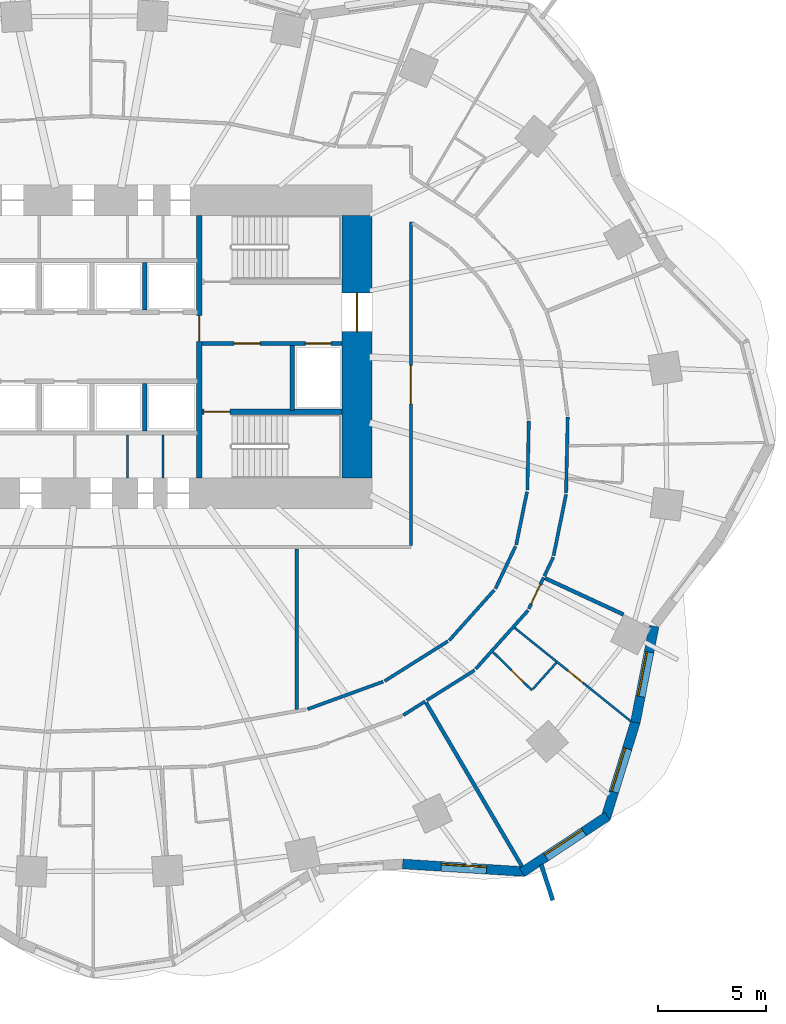
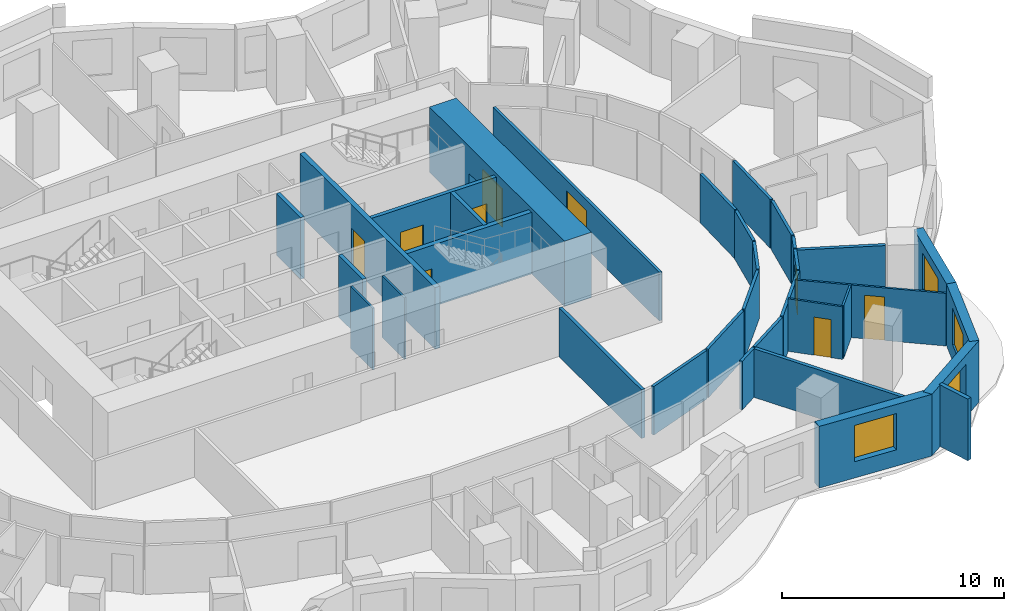
# One storey, part 6 of 11: 34 walls, 9 doors, 4 windows, 13 openings.
"""IFC4 building model written with IfcOpenShell, lengths in metres."""

from ifc_helpers import new_model, si_unit, direction, frame, frame_2d, origin, place, context, subcontext, project, spatial, rectangle, extrude, material, layer, layer_set, type_object, element, fill, save


model = new_model("IFC4")

# Units and contexts
model_context = context("Model", 3, precision=1e-05, world=origin(), true_north=direction((0.0, 1.0)))
body_context = subcontext(model_context, "Body", "Model", "MODEL_VIEW")
ifc_project = project(units=[si_unit("LENGTHUNIT", "METRE"), si_unit("AREAUNIT", "SQUARE_METRE"), si_unit("VOLUMEUNIT", "CUBIC_METRE"), si_unit("PLANEANGLEUNIT", "RADIAN"), si_unit("MASSUNIT", "GRAM", prefix="KILO")], contexts=[model_context])

# Site, building, storey
site_placement = place(None, origin())
site = spatial("IfcSite", under=ifc_project, at=site_placement, CompositionType="ELEMENT")
building_placement = place(site_placement, origin())
building = spatial("IfcBuilding", under=site, at=building_placement, Name="Rubra Terraces Tower", CompositionType="ELEMENT")
storey_placement = place(building_placement, frame((0.0, 0.0, 59.10009765625)))
storey = spatial("IfcBuildingStorey", under=building, at=storey_placement, Name="L12", CompositionType="ELEMENT", Elevation=59.10009765625)

# Walls
ifc_material_1 = material(Name="Twin plasterboard on staggered steel stud, acoustic mineral wool", Category="steel")
ifc_layer_1 = layer(ifc_material_1, 0.175048828125)
ifc_layer_set_1 = layer_set([ifc_layer_1], Name="Twin plasterboard on staggered steel stud, acoustic mineral wool")
wall_type_1 = type_object("IfcWallType", Name="ACOUSTIC PARTY WALL 175", PredefinedType="PARTITIONING", material=ifc_layer_set_1)
wall_1_placement = place(storey_placement, frame((19.95849609375, -19.620361328125, 0.0), z_axis=(0.0, 0.0, 1.0), x_axis=(-0.505643381875, 0.862742586387, 0.0)))
element("IfcWall", 1, at=wall_1_placement, inside=storey, type_object=wall_type_1, Name="PARTITION", PredefinedType="PARTITIONING", context=body_context, shape_type="SweptSolid", body=[
    extrude(rectangle(XDim=8.807861328125, YDim=0.175048828125, at=frame_2d((4.40380859375, 0.0))), origin(), (0.0, 0.0, 1.0), 2.679931640625),
])
wall_2_placement = place(storey_placement, frame((24.669189453125, -7.9287109375, 0.0), z_axis=(0.0, 0.0, 1.0), x_axis=(-0.907461750658, 0.420134705888, 0.0)))
element("IfcWall", 2, at=wall_2_placement, inside=storey, type_object=wall_type_1, Name="PARTITION", PredefinedType="PARTITIONING", context=body_context, shape_type="SweptSolid", body=[
    extrude(rectangle(XDim=4.01123046875, YDim=0.175048828125, at=frame_2d((2.005615234375, 0.0))), origin(), (0.0, 0.0, 1.0), 2.679931640625),
])
wall_3_placement = place(storey_placement, frame((9.5, -12.335205078125, 0.0), z_axis=(0.0, 0.0, 1.0), x_axis=(0.0, 1.0, 0.0)))
element("IfcWall", 3, at=wall_3_placement, inside=storey, type_object=wall_type_1, Name="PARTITION", PredefinedType="PARTITIONING", context=body_context, shape_type="SweptSolid", body=[
    extrude(rectangle(XDim=7.460205078125, YDim=0.175048828125, at=frame_2d((3.72998046875, 0.0))), origin(), (0.0, 0.0, 1.0), 2.679931640625),
])

# Wall, opening, window
ifc_material_2 = material(Name="Brick masonry red-brown", Category="masonry")
ifc_layer_2 = layer(ifc_material_2, 0.449951171875)
ifc_layer_set_2 = layer_set([ifc_layer_2], Name="Brick masonry red-brown")
wall_type_2 = type_object("IfcWallType", Name="Brick facade wall 450", PredefinedType="SOLIDWALL", material=ifc_layer_set_2)
wall_4_placement = place(storey_placement, frame((14.421142578125, -19.506103515625, 0.0), z_axis=(0.0, 0.0, 1.0), x_axis=(0.998078573447, -0.06196096534, 0.0)))
wall_4 = element("IfcWall", 4, at=wall_4_placement, inside=storey, type_object=wall_type_2, Name="Facade wall L12 bay 35", PredefinedType="SOLIDWALL", context=body_context, shape_type="SweptSolid", body=[
    extrude(rectangle(XDim=5.681884765625, YDim=0.449951171875, at=frame_2d((2.8408203125, 0.0))), origin(), (0.0, 0.0, 1.0), 3.39990234375),
])
opening_1_placement = place(wall_4_placement, frame((1.791015625, 0.0, 0.89990234375)))
opening_1 = element("IfcOpeningElement", 5, at=opening_1_placement, cuts=wall_4, Name="Opening W1", PredefinedType="OPENING", context=body_context, shape_type="SweptSolid", body=[
    extrude(rectangle(XDim=2.10009765625, YDim=2.0, at=frame_2d((1.050048828125, 1.0))), frame((0.0, 0.23486328125, 0.0), z_axis=(0.0, -1.0, 0.0), x_axis=(1.0, 0.0, 0.0)), (0.0, 0.0, 1.0), 0.469970703125),
])
ifc_material_3 = material(Name="Clear glass in aluminium frame", Category="aluminium")
window_type = type_object("IfcWindowType", Name="Fixed deep-set window 2100 x 2000", PartitioningType="SINGLE_PANEL", PredefinedType="WINDOW", material=ifc_material_3)
window_1_placement = place(opening_1_placement, origin())
window_1 = element("IfcWindow", 6, at=window_1_placement, inside=storey, type_object=window_type, Name="Window L12 bay 35", OverallHeight=2.0, OverallWidth=2.10009765625, PartitioningType="SINGLE_PANEL", PredefinedType="WINDOW", context=body_context, shape_type="SweptSolid", body=[
    extrude(rectangle(XDim=2.10009765625, YDim=2.0, at=frame_2d((1.050048828125, 1.0))), frame((0.0, 0.135009765625, 0.0), z_axis=(0.0, -1.0, 0.0), x_axis=(1.0, 0.0, 0.0)), (0.0, 0.0, 1.0), 0.06005859375),
])
fill(opening_1, window_1)

wall_5_placement = place(storey_placement, frame((19.959228515625, -19.89501953125, 0.0), z_axis=(0.0, 0.0, 1.0), x_axis=(0.835201398752, 0.549944200372, 0.0)))
wall_5 = element("IfcWall", 7, at=wall_5_placement, inside=storey, type_object=wall_type_2, Name="Facade wall L12 bay 36", PredefinedType="SOLIDWALL", context=body_context, shape_type="SweptSolid", body=[
    extrude(rectangle(XDim=4.74755859375, YDim=0.449951171875, at=frame_2d((2.373779296875, 0.0))), origin(), (0.0, 0.0, 1.0), 3.39990234375),
])
opening_2_placement = place(wall_5_placement, frame((1.32373046875, 0.0, 0.89990234375)))
opening_2 = element("IfcOpeningElement", 8, at=opening_2_placement, cuts=wall_5, Name="Opening W1", PredefinedType="OPENING", context=body_context, shape_type="SweptSolid", body=[
    extrude(rectangle(XDim=2.10009765625, YDim=2.0, at=frame_2d((1.050048828125, 1.0))), frame((0.0, 0.23486328125, 0.0), z_axis=(0.0, -1.0, 0.0), x_axis=(1.0, 0.0, 0.0)), (0.0, 0.0, 1.0), 0.469970703125),
])
window_2_placement = place(opening_2_placement, origin())
window_2 = element("IfcWindow", 9, at=window_2_placement, inside=storey, type_object=window_type, Name="Window L12 bay 36", OverallHeight=2.0, OverallWidth=2.10009765625, PartitioningType="SINGLE_PANEL", PredefinedType="WINDOW", context=body_context, shape_type="SweptSolid", body=[
    extrude(rectangle(XDim=2.10009765625, YDim=2.0, at=frame_2d((1.050048828125, 1.0))), frame((0.0, 0.135009765625, 0.0), z_axis=(0.0, -1.0, 0.0), x_axis=(1.0, 0.0, 0.0)), (0.0, 0.0, 1.0), 0.06005859375),
])
fill(opening_2, window_2)

wall_6_placement = place(storey_placement, frame((23.834228515625, -17.40185546875, 0.0), z_axis=(0.0, 0.0, 1.0), x_axis=(0.2954658114, 0.955353313855, 0.0)))
wall_6 = element("IfcWall", 10, at=wall_6_placement, inside=storey, type_object=wall_type_2, Name="Facade wall L12 bay 37", PredefinedType="SOLIDWALL", context=body_context, shape_type="SweptSolid", body=[
    extrude(rectangle(XDim=4.6982421875, YDim=0.449951171875, at=frame_2d((2.34912109375, 0.0))), origin(), (0.0, 0.0, 1.0), 3.39990234375),
])
opening_3_placement = place(wall_6_placement, frame((1.29931640625, 0.0, 0.89990234375)))
opening_3 = element("IfcOpeningElement", 11, at=opening_3_placement, cuts=wall_6, Name="Opening W1", PredefinedType="OPENING", context=body_context, shape_type="SweptSolid", body=[
    extrude(rectangle(XDim=2.10009765625, YDim=2.0, at=frame_2d((1.050048828125, 1.0))), frame((0.0, 0.23486328125, 0.0), z_axis=(0.0, -1.0, 0.0), x_axis=(1.0, 0.0, 0.0)), (0.0, 0.0, 1.0), 0.469970703125),
])
window_3_placement = place(opening_3_placement, origin())
window_3 = element("IfcWindow", 12, at=window_3_placement, inside=storey, type_object=window_type, Name="Window L12 bay 37", OverallHeight=2.0, OverallWidth=2.10009765625, PartitioningType="SINGLE_PANEL", PredefinedType="WINDOW", context=body_context, shape_type="SweptSolid", body=[
    extrude(rectangle(XDim=2.10009765625, YDim=2.0, at=frame_2d((1.050048828125, 1.0))), frame((0.0, 0.135009765625, 0.0), z_axis=(0.0, -1.0, 0.0), x_axis=(1.0, 0.0, 0.0)), (0.0, 0.0, 1.0), 0.06005859375),
])
fill(opening_3, window_3)

wall_7_placement = place(storey_placement, frame((25.216064453125, -12.936279296875, 0.0), z_axis=(0.0, 0.0, 1.0), x_axis=(0.191564556994, 0.981480015336, 0.0)))
wall_7 = element("IfcWall", 13, at=wall_7_placement, inside=storey, type_object=wall_type_2, Name="Facade wall L12 bay 38", PredefinedType="SOLIDWALL", context=body_context, shape_type="SweptSolid", body=[
    extrude(rectangle(XDim=4.551025390625, YDim=0.449951171875, at=frame_2d((2.275390625, 0.0))), origin(), (0.0, 0.0, 1.0), 3.39990234375),
])
opening_4_placement = place(wall_7_placement, frame((1.2255859375, 0.0, 0.89990234375)))
opening_4 = element("IfcOpeningElement", 14, at=opening_4_placement, cuts=wall_7, Name="Opening W1", PredefinedType="OPENING", context=body_context, shape_type="SweptSolid", body=[
    extrude(rectangle(XDim=2.10009765625, YDim=2.0, at=frame_2d((1.050048828125, 1.0))), frame((0.0, 0.23486328125, 0.0), z_axis=(0.0, -1.0, 0.0), x_axis=(1.0, 0.0, 0.0)), (0.0, 0.0, 1.0), 0.469970703125),
])
window_4_placement = place(opening_4_placement, origin())
window_4 = element("IfcWindow", 15, at=window_4_placement, inside=storey, type_object=window_type, Name="Window L12 bay 38", OverallHeight=2.0, OverallWidth=2.10009765625, PartitioningType="SINGLE_PANEL", PredefinedType="WINDOW", context=body_context, shape_type="SweptSolid", body=[
    extrude(rectangle(XDim=2.10009765625, YDim=2.0, at=frame_2d((1.050048828125, 1.0))), frame((0.0, 0.135009765625, 0.0), z_axis=(0.0, -1.0, 0.0), x_axis=(1.0, 0.0, 0.0)), (0.0, 0.0, 1.0), 0.06005859375),
])
fill(opening_4, window_4)

# Wall
ifc_layer_3 = layer(ifc_material_2, 0.199951171875)
ifc_layer_set_3 = layer_set([ifc_layer_3], Name="Brick masonry red-brown")
wall_type_3 = type_object("IfcWallType", Name="Brick wind fin 200", PredefinedType="SOLIDWALL", material=ifc_layer_set_3)
wall_8_placement = place(storey_placement, frame((20.845947265625, -19.530029296875, 0.0), z_axis=(0.0, 0.0, 1.0), x_axis=(0.309732726603, -0.950823662974, 0.0)))
element("IfcWall", 16, at=wall_8_placement, inside=storey, type_object=wall_type_3, Name="Wind fin L12 22", PredefinedType="SOLIDWALL", context=body_context, shape_type="SweptSolid", body=[
    extrude(rectangle(XDim=1.749755859375, YDim=0.199951171875, at=frame_2d((0.875, 0.0))), origin(), (0.0, 0.0, 1.0), 3.39990234375),
])

# Wall, opening, door
ifc_material_4 = material(Name="Concrete C70", Category="concrete")
ifc_layer_4 = layer(ifc_material_4, 1.39990234375)
ifc_layer_set_4 = layer_set([ifc_layer_4], Name="Concrete C70")
wall_type_4 = type_object("IfcWallType", Name="CORE WALL 1400 C70", PredefinedType="SHEAR", material=ifc_layer_set_4)
wall_9_placement = place(storey_placement, frame((12.300048828125, -1.60009765625, 0.0), z_axis=(0.0, 0.0, 1.0), x_axis=(0.0, 1.0, 0.0)))
wall_9 = element("IfcWall", 17, at=wall_9_placement, inside=storey, type_object=wall_type_4, Name="CORE WALL E L12", PredefinedType="SHEAR", context=body_context, shape_type="SweptSolid", body=[
    extrude(rectangle(XDim=12.2001953125, YDim=1.39990234375, at=frame_2d((6.10009765625, 0.0))), origin(), (0.0, 0.0, 1.0), 3.599853515625),
])
opening_5_placement = place(wall_9_placement, frame((6.800048828125, 0.0, 0.0)))
opening_5 = element("IfcOpeningElement", 18, at=opening_5_placement, cuts=wall_9, Name="Opening L12.C02", PredefinedType="OPENING", context=body_context, shape_type="SweptSolid", body=[
    extrude(rectangle(XDim=1.800048828125, YDim=2.10009765625, at=frame_2d((0.89990234375, 1.050048828125))), frame((0.0, 0.7099609375, 0.0), z_axis=(0.0, -1.0, 0.0), x_axis=(1.0, 0.0, 0.0)), (0.0, 0.0, 1.0), 1.419921875),
])
ifc_material_5 = material(Name="Painted steel", Category="steel")
door_type_1 = type_object("IfcDoorType", Name="Fire door 1800x2100 double", OperationType="NOTDEFINED", PredefinedType="DOOR", material=ifc_material_5)
door_1_placement = place(opening_5_placement, origin())
door_1 = element("IfcDoor", 19, at=door_1_placement, inside=storey, type_object=door_type_1, Name="Core entrance door FF2", OperationType="DOUBLE_DOOR_SINGLE_SWING", OverallHeight=2.10009765625, OverallWidth=1.800048828125, PredefinedType="DOOR", context=body_context, shape_type="SweptSolid", body=[
    extrude(rectangle(XDim=1.800048828125, YDim=2.10009765625, at=frame_2d((0.89990234375, 1.050048828125))), frame((0.0, 0.02490234375, 0.0), z_axis=(0.0, -1.0, 0.0), x_axis=(1.0, 0.0, 0.0)), (0.0, 0.0, 1.0), 0.050048828125),
])
fill(opening_5, door_1)

# Walls
ifc_material_6 = material(Name="Plasterboard on steel stud, mineral wool infill", Category="steel")
ifc_layer_5 = layer(ifc_material_6, 0.14990234375)
ifc_layer_set_5 = layer_set([ifc_layer_5], Name="Plasterboard on steel stud, mineral wool infill")
wall_type_5 = type_object("IfcWallType", Name="CORRIDOR PARTITION 150", PredefinedType="PARTITIONING", material=ifc_layer_set_5)
wall_10_placement = place(storey_placement, frame((14.442138671875, -12.602783203125, 0.0), z_axis=(0.0, 0.0, 1.0), x_axis=(0.845976983642, 0.533219413701, 0.0)))
element("IfcWall", 20, at=wall_10_placement, inside=storey, type_object=wall_type_5, Name="PARTITION", PredefinedType="PARTITIONING", context=body_context, shape_type="SweptSolid", body=[
    extrude(rectangle(XDim=1.21142578125, YDim=0.14990234375, at=frame_2d((0.605712890625, 0.0))), origin(), (0.0, 0.0, 1.0), 2.679931640625),
])
wall_11_placement = place(storey_placement, frame((15.530517578125, -11.916748046875, 0.0), z_axis=(0.0, 0.0, 1.0), x_axis=(0.84600940038, 0.533167979598, 0.0)))
element("IfcWall", 21, at=wall_11_placement, inside=storey, type_object=wall_type_5, Name="PARTITION", PredefinedType="PARTITIONING", context=body_context, shape_type="SweptSolid", body=[
    extrude(rectangle(XDim=2.62841796875, YDim=0.14990234375, at=frame_2d((1.314208984375, 0.0))), origin(), (0.0, 0.0, 1.0), 2.679931640625),
])
wall_12_placement = place(storey_placement, frame((17.80419921875, -10.459716796875, 0.0), z_axis=(0.0, 0.0, 1.0), x_axis=(0.666597463623, 0.745417883802, 0.0)))
element("IfcWall", 22, at=wall_12_placement, inside=storey, type_object=wall_type_5, Name="PARTITION", PredefinedType="PARTITIONING", context=body_context, shape_type="SweptSolid", body=[
    extrude(rectangle(XDim=3.65185546875, YDim=0.14990234375, at=frame_2d((1.825927734375, 0.0))), origin(), (0.0, 0.0, 1.0), 2.679931640625),
])

# Wall, opening, door
wall_13_placement = place(storey_placement, frame((20.2705078125, -7.669677734375, 0.0), z_axis=(0.0, 0.0, 1.0), x_axis=(0.42804079978, 0.903759411416, 0.0)))
wall_13 = element("IfcWall", 23, at=wall_13_placement, inside=storey, type_object=wall_type_5, Name="PARTITION", PredefinedType="PARTITIONING", context=body_context, shape_type="SweptSolid", body=[
    extrude(rectangle(XDim=1.613037109375, YDim=0.14990234375, at=frame_2d((0.806640625, 0.0))), origin(), (0.0, 0.0, 1.0), 2.679931640625),
])
opening_6_placement = place(wall_13_placement, frame((0.25, 0.0, 0.0)))
opening_6 = element("IfcOpeningElement", 24, at=opening_6_placement, cuts=wall_13, Name="Opening 12-122", PredefinedType="OPENING", context=body_context, shape_type="SweptSolid", body=[
    extrude(rectangle(XDim=1.0, YDim=2.10009765625, at=frame_2d((0.5, 1.050048828125))), frame((0.0, 0.0849609375, 0.0), z_axis=(0.0, -1.0, 0.0), x_axis=(1.0, 0.0, 0.0)), (0.0, 0.0, 1.0), 0.169921875),
])
ifc_material_7 = material(Name="Painted timber door leaf", Category="wood")
door_type_2 = type_object("IfcDoorType", Name="ROOM DOOR 1000 X 2100", OperationType="SINGLE_SWING_LEFT", PredefinedType="DOOR", material=ifc_material_7)
door_2_placement = place(opening_6_placement, origin())
door_2 = element("IfcDoor", 25, at=door_2_placement, inside=storey, type_object=door_type_2, Name="DOOR 12-122", OperationType="SINGLE_SWING_RIGHT", OverallHeight=2.10009765625, OverallWidth=1.0, PredefinedType="DOOR", context=body_context, shape_type="SweptSolid", body=[
    extrude(rectangle(XDim=1.0, YDim=2.10009765625, at=frame_2d((0.5, 1.050048828125))), frame((0.0, 0.02490234375, 0.0), z_axis=(0.0, -1.0, 0.0), x_axis=(1.0, 0.0, 0.0)), (0.0, 0.0, 1.0), 0.050048828125),
])
fill(opening_6, door_2)

# Walls
wall_14_placement = place(storey_placement, frame((20.9931640625, -6.14404296875, 0.0), z_axis=(0.0, 0.0, 1.0), x_axis=(0.42784789947, 0.903850748143, 0.0)))
element("IfcWall", 26, at=wall_14_placement, inside=storey, type_object=wall_type_5, Name="PARTITION", PredefinedType="PARTITIONING", context=body_context, shape_type="SweptSolid", body=[
    extrude(rectangle(XDim=0.96826171875, YDim=0.14990234375, at=frame_2d((0.484130859375, 0.0))), origin(), (0.0, 0.0, 1.0), 2.679931640625),
])
wall_15_placement = place(storey_placement, frame((21.422607421875, -5.1953125, 0.0), z_axis=(0.0, 0.0, 1.0), x_axis=(0.199793264012, 0.979838074202, 0.0)))
element("IfcWall", 27, at=wall_15_placement, inside=storey, type_object=wall_type_5, Name="PARTITION", PredefinedType="PARTITIONING", context=body_context, shape_type="SweptSolid", body=[
    extrude(rectangle(XDim=2.897216796875, YDim=0.14990234375, at=frame_2d((1.44873046875, 0.0))), origin(), (0.0, 0.0, 1.0), 2.679931640625),
])
wall_16_placement = place(storey_placement, frame((22.003173828125, -2.281494140625, 0.0), z_axis=(0.0, 0.0, 1.0), x_axis=(0.021172866829, 0.999775829729, 0.0)))
element("IfcWall", 28, at=wall_16_placement, inside=storey, type_object=wall_type_5, Name="PARTITION", PredefinedType="PARTITIONING", context=body_context, shape_type="SweptSolid", body=[
    extrude(rectangle(XDim=3.516845703125, YDim=0.14990234375, at=frame_2d((1.75830078125, 0.0))), origin(), (0.0, 0.0, 1.0), 2.679931640625),
])
wall_17_placement = place(storey_placement, frame((20.2734375, 1.061279296875, 0.0), z_axis=(0.0, 0.0, 1.0), x_axis=(-0.021166906337, -0.99977595594, 0.0)))
element("IfcWall", 29, at=wall_17_placement, inside=storey, type_object=wall_type_5, Name="PARTITION", PredefinedType="PARTITIONING", context=body_context, shape_type="SweptSolid", body=[
    extrude(rectangle(XDim=3.218017578125, YDim=0.14990234375, at=frame_2d((1.60888671875, 0.0))), origin(), (0.0, 0.0, 1.0), 2.679931640625),
])
wall_18_placement = place(storey_placement, frame((20.190185546875, -2.2294921875, 0.0), z_axis=(0.0, 0.0, 1.0), x_axis=(-0.199752828647, -0.97984631828, 0.0)))
element("IfcWall", 30, at=wall_18_placement, inside=storey, type_object=wall_type_5, Name="PARTITION", PredefinedType="PARTITIONING", context=body_context, shape_type="SweptSolid", body=[
    extrude(rectangle(XDim=2.5166015625, YDim=0.14990234375, at=frame_2d((1.25830078125, 0.0))), origin(), (0.0, 0.0, 1.0), 2.679931640625),
])
wall_19_placement = place(storey_placement, frame((19.6552734375, -4.76318359375, 0.0), z_axis=(0.0, 0.0, 1.0), x_axis=(-0.427965880464, -0.903794891089, 0.0)))
element("IfcWall", 31, at=wall_19_placement, inside=storey, type_object=wall_type_5, Name="PARTITION", PredefinedType="PARTITIONING", context=body_context, shape_type="SweptSolid", body=[
    extrude(rectangle(XDim=2.177978515625, YDim=0.14990234375, at=frame_2d((1.0888671875, 0.0))), origin(), (0.0, 0.0, 1.0), 2.679931640625),
])
wall_20_placement = place(storey_placement, frame((18.673095703125, -6.78759765625, 0.0), z_axis=(0.0, 0.0, 1.0), x_axis=(-0.666610670036, -0.745406073623, 0.0)))
element("IfcWall", 32, at=wall_20_placement, inside=storey, type_object=wall_type_5, Name="PARTITION", PredefinedType="PARTITIONING", context=body_context, shape_type="SweptSolid", body=[
    extrude(rectangle(XDim=3.138671875, YDim=0.14990234375, at=frame_2d((1.5693359375, 0.0))), origin(), (0.0, 0.0, 1.0), 2.679931640625),
])
wall_21_placement = place(storey_placement, frame((16.517333984375, -9.167236328125, 0.0), z_axis=(0.0, 0.0, 1.0), x_axis=(-0.846000117603, -0.533182708849, 0.0)))
element("IfcWall", 33, at=wall_21_placement, inside=storey, type_object=wall_type_5, Name="PARTITION", PredefinedType="PARTITIONING", context=body_context, shape_type="SweptSolid", body=[
    extrude(rectangle(XDim=3.469970703125, YDim=0.14990234375, at=frame_2d((1.73486328125, 0.0))), origin(), (0.0, 0.0, 1.0), 2.679931640625),
])
wall_22_placement = place(storey_placement, frame((13.51123046875, -11.04296875, 0.0), z_axis=(0.0, 0.0, 1.0), x_axis=(-0.939583191704, -0.342320647736, 0.0)))
element("IfcWall", 34, at=wall_22_placement, inside=storey, type_object=wall_type_5, Name="PARTITION", PredefinedType="PARTITIONING", context=body_context, shape_type="SweptSolid", body=[
    extrude(rectangle(XDim=3.73291015625, YDim=0.14990234375, at=frame_2d((1.866455078125, 0.0))), origin(), (0.0, 0.0, 1.0), 2.679931640625),
])

# Wall, opening, door
wall_23_placement = place(storey_placement, frame((14.800048828125, -4.72509765625, 0.0), z_axis=(0.0, 0.0, 1.0), x_axis=(0.0, 1.0, 0.0)))
wall_23 = element("IfcWall", 35, at=wall_23_placement, inside=storey, type_object=wall_type_5, Name="PARTITION", PredefinedType="PARTITIONING", context=body_context, shape_type="SweptSolid", body=[
    extrude(rectangle(XDim=15.00830078125, YDim=0.14990234375, at=frame_2d((7.504150390625, 0.0))), origin(), (0.0, 0.0, 1.0), 2.679931640625),
])
opening_7_placement = place(wall_23_placement, frame((6.56591796875, 0.0, 0.0)))
opening_7 = element("IfcOpeningElement", 36, at=opening_7_placement, cuts=wall_23, Name="Opening 12-137", PredefinedType="OPENING", context=body_context, shape_type="SweptSolid", body=[
    extrude(rectangle(XDim=1.800048828125, YDim=2.10009765625, at=frame_2d((0.89990234375, 1.050048828125))), frame((0.0, 0.0849609375, 0.0), z_axis=(0.0, -1.0, 0.0), x_axis=(1.0, 0.0, 0.0)), (0.0, 0.0, 1.0), 0.169921875),
])
ifc_material_8 = material(Name="Painted timber door leaf, double", Category="wood")
door_type_3 = type_object("IfcDoorType", Name="ROOM DOUBLE DOOR 1800 X 2100", OperationType="DOUBLE_DOOR_SINGLE_SWING", PredefinedType="DOOR", material=ifc_material_8)
door_3_placement = place(opening_7_placement, origin())
door_3 = element("IfcDoor", 37, at=door_3_placement, inside=storey, type_object=door_type_3, Name="DOOR 12-137", OperationType="DOUBLE_DOOR_SINGLE_SWING", OverallHeight=2.10009765625, OverallWidth=1.800048828125, PredefinedType="DOOR", context=body_context, shape_type="SweptSolid", body=[
    extrude(rectangle(XDim=1.800048828125, YDim=2.10009765625, at=frame_2d((0.89990234375, 1.050048828125))), frame((0.0, 0.02490234375, 0.0), z_axis=(0.0, -1.0, 0.0), x_axis=(1.0, 0.0, 0.0)), (0.0, 0.0, 1.0), 0.050048828125),
])
fill(opening_7, door_3)

# Wall, openings, doors
ifc_material_9 = material(Name="Concrete C30", Category="concrete")
ifc_layer_6 = layer(ifc_material_9, 0.199951171875)
ifc_layer_set_6 = layer_set([ifc_layer_6], Name="Concrete C30")
wall_type_6 = type_object("IfcWallType", Name="Core wall 200 concrete", PredefinedType="SOLIDWALL", material=ifc_layer_set_6)
wall_24_placement = place(storey_placement, frame((11.60009765625, 4.64990234375, 0.0), z_axis=(0.0, 0.0, 1.0), x_axis=(-1.0, 0.0, 0.0)))
wall_24 = element("IfcWall", 38, at=wall_24_placement, inside=storey, type_object=wall_type_6, Name="STAIR WALL L12", PredefinedType="SOLIDWALL", context=body_context, shape_type="SweptSolid", body=[
    extrude(rectangle(XDim=6.5, YDim=0.199951171875, at=frame_2d((3.25, 0.0))), origin(), (0.0, 0.0, 1.0), 3.39990234375),
])
opening_8_placement = place(wall_24_placement, frame((3.800048828125, 0.0, 0.0)))
opening_8 = element("IfcOpeningElement", 39, at=opening_8_placement, cuts=wall_24, Name="Opening L12.C06", PredefinedType="OPENING", context=body_context, shape_type="SweptSolid", body=[
    extrude(rectangle(XDim=1.199951171875, YDim=2.10009765625, at=frame_2d((0.60009765625, 1.050048828125))), frame((0.0, 0.10986328125, 0.0), z_axis=(0.0, -1.0, 0.0), x_axis=(1.0, 0.0, 0.0)), (0.0, 0.0, 1.0), 0.219970703125),
])
opening_9_placement = place(wall_24_placement, frame((0.5, 0.0, 0.0)))
opening_9 = element("IfcOpeningElement", 40, at=opening_9_placement, cuts=wall_24, Name="Opening L12.C12", PredefinedType="OPENING", context=body_context, shape_type="SweptSolid", body=[
    extrude(rectangle(XDim=1.199951171875, YDim=2.10009765625, at=frame_2d((0.60009765625, 1.050048828125))), frame((0.0, 0.10986328125, 0.0), z_axis=(0.0, -1.0, 0.0), x_axis=(1.0, 0.0, 0.0)), (0.0, 0.0, 1.0), 0.219970703125),
])
door_type_4 = type_object("IfcDoorType", Name="Fire door 1200x2100 single", OperationType="NOTDEFINED", PredefinedType="DOOR", material=ifc_material_5)
door_4_placement = place(opening_8_placement, origin())
door_4 = element("IfcDoor", 41, at=door_4_placement, inside=storey, type_object=door_type_4, Name="Stair vestibule door S4", OperationType="SINGLE_SWING_RIGHT", OverallHeight=2.10009765625, OverallWidth=1.199951171875, PredefinedType="DOOR", context=body_context, shape_type="SweptSolid", body=[
    extrude(rectangle(XDim=1.199951171875, YDim=2.10009765625, at=frame_2d((0.60009765625, 1.050048828125))), frame((0.0, 0.02490234375, 0.0), z_axis=(0.0, -1.0, 0.0), x_axis=(1.0, 0.0, 0.0)), (0.0, 0.0, 1.0), 0.050048828125),
])
fill(opening_8, door_4)
ifc_material_10 = material(Name="Stainless steel", Category="steel")
door_type_5 = type_object("IfcDoorType", Name="Lift landing door 1200x2100", OperationType="NOTDEFINED", PredefinedType="DOOR", material=ifc_material_10)
door_5_placement = place(opening_9_placement, origin())
door_5 = element("IfcDoor", 42, at=door_5_placement, inside=storey, type_object=door_type_5, Name="Landing door FF2", OperationType="SLIDING_TO_RIGHT", OverallHeight=2.10009765625, OverallWidth=1.199951171875, PredefinedType="DOOR", context=body_context, shape_type="SweptSolid", body=[
    extrude(rectangle(XDim=1.199951171875, YDim=2.10009765625, at=frame_2d((0.60009765625, 1.050048828125))), frame((0.0, 0.02490234375, 0.0), z_axis=(0.0, -1.0, 0.0), x_axis=(1.0, 0.0, 0.0)), (0.0, 0.0, 1.0), 0.050048828125),
])
fill(opening_9, door_5)

# Walls
wall_25_placement = place(storey_placement, frame((9.300048828125, 4.550048828125, 0.0), z_axis=(0.0, 0.0, 1.0), x_axis=(0.0, -1.0, 0.0)))
element("IfcWall", 43, at=wall_25_placement, inside=storey, type_object=wall_type_6, Name="STAIR WALL L12", PredefinedType="SOLIDWALL", context=body_context, shape_type="SweptSolid", body=[
    extrude(rectangle(XDim=3.0, YDim=0.199951171875, at=frame_2d((1.5, 0.0))), origin(), (0.0, 0.0, 1.0), 3.39990234375),
])
for number, where, z_axis, x_axis, name in (
    (44, (2.449951171875, 0.60009765625, 0.0), (0.0, 0.0, 1.0), (0.0, 1.0, 0.0), "LIFT SHAFT WALL L12"),
    (45, (2.449951171875, 6.199951171875, 0.0), (0.0, 0.0, 1.0), (0.0, 1.0, 0.0), "LIFT SHAFT WALL L12"),
):
    element("IfcWall", number, at=place(storey_placement, frame(where, z_axis=z_axis, x_axis=x_axis)), inside=storey, type_object=wall_type_6, Name=name, PredefinedType="SOLIDWALL", context=body_context, shape_type="SweptSolid", body=[
        extrude(rectangle(XDim=2.199951171875, YDim=0.199951171875, at=frame_2d((1.10009765625, 0.0))), origin(), (0.0, 0.0, 1.0), 3.39990234375),
    ])

# Wall, opening, door
ifc_material_11 = material(Name="Plasterboard on steel stud", Category="steel")
ifc_layer_7 = layer(ifc_material_11, 0.10009765625)
ifc_layer_set_7 = layer_set([ifc_layer_7], Name="Plasterboard on steel stud")
wall_type_7 = type_object("IfcWallType", Name="ROOM PARTITION 100", PredefinedType="PARTITIONING", material=ifc_layer_set_7)
wall_26_placement = place(storey_placement, frame((24.99560546875, -12.870849609375, 0.0), z_axis=(0.0, 0.0, 1.0), x_axis=(-0.779382782797, 0.626548065099, 0.0)))
wall_26 = element("IfcWall", 46, at=wall_26_placement, inside=storey, type_object=wall_type_7, Name="PARTITION", PredefinedType="PARTITIONING", context=body_context, shape_type="SweptSolid", body=[
    extrude(rectangle(XDim=6.90234375, YDim=0.10009765625, at=frame_2d((3.451171875, 0.0))), origin(), (0.0, 0.0, 1.0), 2.89794921875),
])
opening_10_placement = place(wall_26_placement, frame((2.827880859375, 0.0, 0.0)))
opening_10 = element("IfcOpeningElement", 47, at=opening_10_placement, cuts=wall_26, Name="Opening 12-121", PredefinedType="OPENING", context=body_context, shape_type="SweptSolid", body=[
    extrude(rectangle(XDim=0.89990234375, YDim=2.39990234375, at=frame_2d((0.449951171875, 1.199951171875))), frame((0.0, 0.06005859375, 0.0), z_axis=(0.0, -1.0, 0.0), x_axis=(1.0, 0.0, 0.0)), (0.0, 0.0, 1.0), 0.1201171875),
])
ifc_material_12 = material(Name="Veneered timber door leaf, fire-rated", Category="wood")
door_type_6 = type_object("IfcDoorType", Name="SUITE ENTRANCE DOOR 900 X 2400", OperationType="SINGLE_SWING_LEFT", PredefinedType="DOOR", material=ifc_material_12)
door_6_placement = place(opening_10_placement, origin())
door_6 = element("IfcDoor", 48, at=door_6_placement, inside=storey, type_object=door_type_6, Name="DOOR 12-121", OperationType="SINGLE_SWING_LEFT", OverallHeight=2.39990234375, OverallWidth=0.89990234375, PredefinedType="DOOR", context=body_context, shape_type="SweptSolid", body=[
    extrude(rectangle(XDim=0.89990234375, YDim=2.39990234375, at=frame_2d((0.449951171875, 1.199951171875))), frame((0.0, 0.02490234375, 0.0), z_axis=(0.0, -1.0, 0.0), x_axis=(1.0, 0.0, 0.0)), (0.0, 0.0, 1.0), 0.050048828125),
])
fill(opening_10, door_6)

wall_27_placement = place(storey_placement, frame((18.611083984375, -9.669921875, 0.0), z_axis=(0.0, 0.0, 1.0), x_axis=(0.712836736893, -0.701330012573, 0.0)))
wall_27 = element("IfcWall", 49, at=wall_27_placement, inside=storey, type_object=wall_type_7, Name="PARTITION", PredefinedType="PARTITIONING", context=body_context, shape_type="SweptSolid", body=[
    extrude(rectangle(XDim=2.52490234375, YDim=0.10009765625, at=frame_2d((1.262451171875, 0.0))), origin(), (0.0, 0.0, 1.0), 2.89794921875),
])
opening_11_placement = place(wall_27_placement, frame((1.199951171875, 0.0, 0.0)))
opening_11 = element("IfcOpeningElement", 50, at=opening_11_placement, cuts=wall_27, Name="Opening 12-120", PredefinedType="OPENING", context=body_context, shape_type="SweptSolid", body=[
    extrude(rectangle(XDim=0.800048828125, YDim=2.10009765625, at=frame_2d((0.39990234375, 1.050048828125))), frame((0.0, 0.06005859375, 0.0), z_axis=(0.0, -1.0, 0.0), x_axis=(1.0, 0.0, 0.0)), (0.0, 0.0, 1.0), 0.1201171875),
])
door_type_7 = type_object("IfcDoorType", Name="BATHROOM DOOR 800 X 2100", OperationType="SINGLE_SWING_LEFT", PredefinedType="DOOR", material=ifc_material_7)
door_7_placement = place(opening_11_placement, origin())
door_7 = element("IfcDoor", 51, at=door_7_placement, inside=storey, type_object=door_type_7, Name="DOOR 12-120", OperationType="SINGLE_SWING_LEFT", OverallHeight=2.10009765625, OverallWidth=0.800048828125, PredefinedType="DOOR", context=body_context, shape_type="SweptSolid", body=[
    extrude(rectangle(XDim=0.800048828125, YDim=2.10009765625, at=frame_2d((0.39990234375, 1.050048828125))), frame((0.0, 0.02490234375, 0.0), z_axis=(0.0, -1.0, 0.0), x_axis=(1.0, 0.0, 0.0)), (0.0, 0.0, 1.0), 0.050048828125),
])
fill(opening_11, door_7)

# Walls
wall_28_placement = place(storey_placement, frame((20.444091796875, -11.4033203125, 0.0), z_axis=(0.0, 0.0, 1.0), x_axis=(0.666369249882, 0.745621903388, 0.0)))
element("IfcWall", 52, at=wall_28_placement, inside=storey, type_object=wall_type_7, Name="PARTITION", PredefinedType="PARTITIONING", context=body_context, shape_type="SweptSolid", body=[
    extrude(rectangle(XDim=1.660400390625, YDim=0.10009765625, at=frame_2d((0.830078125, 0.0))), origin(), (0.0, 0.0, 1.0), 2.89794921875),
])
ifc_material_13 = material(Name="Blockwork", Category="masonry")
ifc_layer_8 = layer(ifc_material_13, 0.10009765625)
ifc_layer_set_8 = layer_set([ifc_layer_8], Name="Blockwork")
wall_type_8 = type_object("IfcWallType", Name="Service partition 100 blockwork", PredefinedType="PARTITIONING", material=ifc_layer_set_8)
for number, where, z_axis, x_axis, name in (
    (53, (1.64990234375, -1.60009765625, 0.0), (0.0, 0.0, 1.0), (0.0, 1.0, 0.0), "SERVICE ROOM PARTITION L12"),
    (54, (3.300048828125, -1.60009765625, 0.0), (0.0, 0.0, 1.0), (0.0, 1.0, 0.0), "SERVICE ROOM PARTITION L12"),
):
    element("IfcWall", number, at=place(storey_placement, frame(where, z_axis=z_axis, x_axis=x_axis)), inside=storey, type_object=wall_type_8, Name=name, PredefinedType="PARTITIONING", context=body_context, shape_type="SweptSolid", body=[
        extrude(rectangle(XDim=2.0, YDim=0.10009765625, at=frame_2d((1.0, 0.0))), origin(), (0.0, 0.0, 1.0), 3.39990234375),
    ])

# Wall, opening, door
ifc_material_14 = material(Name="Concrete C40", Category="concrete")
ifc_layer_9 = layer(ifc_material_14, 0.25)
ifc_layer_set_9 = layer_set([ifc_layer_9], Name="Concrete C40")
wall_type_9 = type_object("IfcWallType", Name="Stair enclosure wall 250 concrete", PredefinedType="SOLIDWALL", material=ifc_layer_set_9)
wall_29_placement = place(storey_placement, frame((11.60009765625, 1.47509765625, 0.0), z_axis=(0.0, 0.0, 1.0), x_axis=(-1.0, 0.0, 0.0)))
wall_29 = element("IfcWall", 55, at=wall_29_placement, inside=storey, type_object=wall_type_9, Name="STAIR WALL L12", PredefinedType="SOLIDWALL", context=body_context, shape_type="SweptSolid", body=[
    extrude(rectangle(XDim=6.5, YDim=0.25, at=frame_2d((3.25, 0.0))), origin(), (0.0, 0.0, 1.0), 3.39990234375),
])
opening_12_placement = place(wall_29_placement, frame((5.199951171875, 0.0, 0.0)))
opening_12 = element("IfcOpeningElement", 56, at=opening_12_placement, cuts=wall_29, Name="Opening L12.C10", PredefinedType="OPENING", context=body_context, shape_type="SweptSolid", body=[
    extrude(rectangle(XDim=1.199951171875, YDim=2.10009765625, at=frame_2d((0.60009765625, 1.050048828125))), frame((0.0, 0.135009765625, 0.0), z_axis=(0.0, -1.0, 0.0), x_axis=(1.0, 0.0, 0.0)), (0.0, 0.0, 1.0), 0.27001953125),
])
door_8_placement = place(opening_12_placement, origin())
door_8 = element("IfcDoor", 57, at=door_8_placement, inside=storey, type_object=door_type_4, Name="Stair door S4", OperationType="SINGLE_SWING_RIGHT", OverallHeight=2.10009765625, OverallWidth=1.199951171875, PredefinedType="DOOR", context=body_context, shape_type="SweptSolid", body=[
    extrude(rectangle(XDim=1.199951171875, YDim=2.10009765625, at=frame_2d((0.60009765625, 1.050048828125))), frame((0.0, 0.02490234375, 0.0), z_axis=(0.0, -1.0, 0.0), x_axis=(1.0, 0.0, 0.0)), (0.0, 0.0, 1.0), 0.050048828125),
])
fill(opening_12, door_8)

wall_30_placement = place(storey_placement, frame((4.97509765625, 10.60009765625, 0.0), z_axis=(0.0, 0.0, 1.0), x_axis=(0.0, -1.0, 0.0)))
wall_30 = element("IfcWall", 58, at=wall_30_placement, inside=storey, type_object=wall_type_9, Name="CORE LOBBY WALL L12", PredefinedType="SOLIDWALL", context=body_context, shape_type="SweptSolid", body=[
    extrude(rectangle(XDim=12.2001953125, YDim=0.25, at=frame_2d((6.10009765625, 0.0))), origin(), (0.0, 0.0, 1.0), 3.39990234375),
])
opening_13_placement = place(wall_30_placement, frame((4.64990234375, 0.0, 0.0)))
opening_13 = element("IfcOpeningElement", 59, at=opening_13_placement, cuts=wall_30, Name="Opening L12.C04", PredefinedType="OPENING", context=body_context, shape_type="SweptSolid", body=[
    extrude(rectangle(XDim=1.199951171875, YDim=2.10009765625, at=frame_2d((0.60009765625, 1.050048828125))), frame((0.0, 0.135009765625, 0.0), z_axis=(0.0, -1.0, 0.0), x_axis=(1.0, 0.0, 0.0)), (0.0, 0.0, 1.0), 0.27001953125),
])
door_9_placement = place(opening_13_placement, origin())
door_9 = element("IfcDoor", 60, at=door_9_placement, inside=storey, type_object=door_type_4, Name="Firefighting lobby door FF2", OperationType="SINGLE_SWING_RIGHT", OverallHeight=2.10009765625, OverallWidth=1.199951171875, PredefinedType="DOOR", context=body_context, shape_type="SweptSolid", body=[
    extrude(rectangle(XDim=1.199951171875, YDim=2.10009765625, at=frame_2d((0.60009765625, 1.050048828125))), frame((0.0, 0.02490234375, 0.0), z_axis=(0.0, -1.0, 0.0), x_axis=(1.0, 0.0, 0.0)), (0.0, 0.0, 1.0), 0.050048828125),
])
fill(opening_13, door_9)

save(model, "model.ifc")
